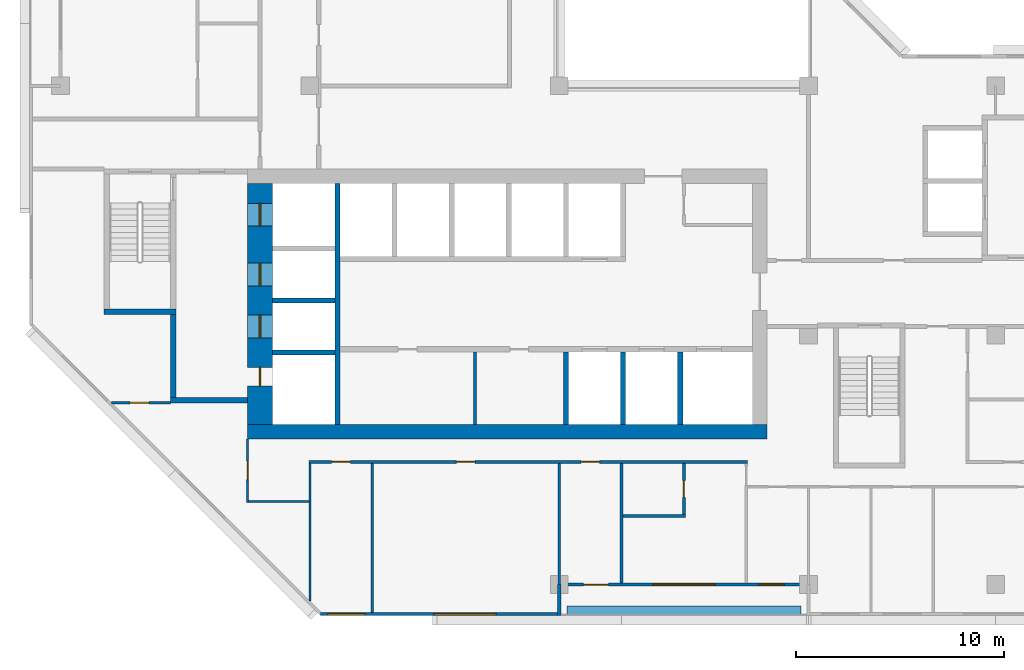
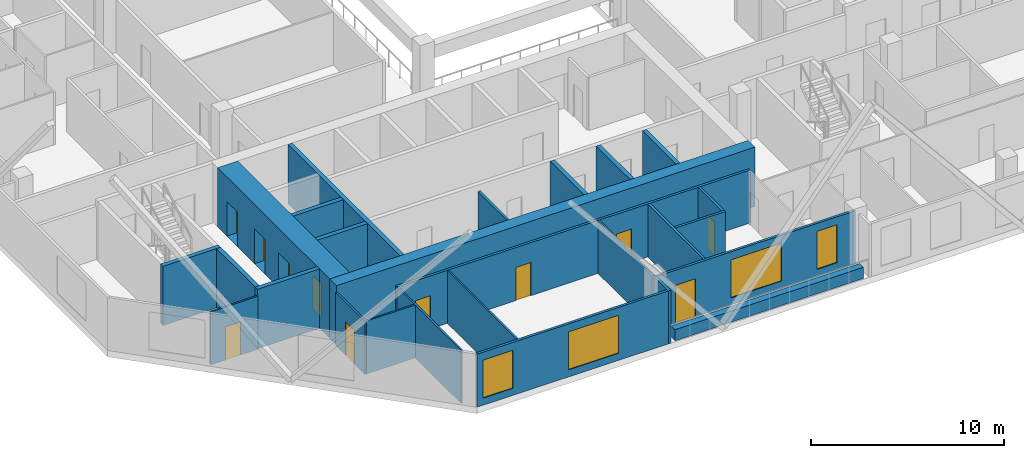
# One storey, part 4 of 14: 26 walls, 11 doors, 4 windows, 15 openings.
"""IFC4 building model written with IfcOpenShell, lengths in metres."""

from ifc_helpers import new_model, si_unit, direction, frame, frame_2d, origin, place, context, subcontext, project, spatial, rectangle, extrude, material, layer, layer_set, type_object, element, fill, save


model = new_model("IFC4")

# Units and contexts
model_context = context("Model", 3, precision=1e-05, world=origin(), true_north=direction((0.0, 1.0)))
body_context = subcontext(model_context, "Body", "Model", "MODEL_VIEW")
ifc_project = project(units=[si_unit("LENGTHUNIT", "METRE"), si_unit("AREAUNIT", "SQUARE_METRE"), si_unit("VOLUMEUNIT", "CUBIC_METRE"), si_unit("PLANEANGLEUNIT", "RADIAN"), si_unit("MASSUNIT", "GRAM", prefix="KILO")], contexts=[model_context])

# Site, building, storey
site_placement = place(None, origin())
site = spatial("IfcSite", under=ifc_project, at=site_placement, CompositionType="ELEMENT")
building_placement = place(site_placement, origin())
building = spatial("IfcBuilding", under=site, at=building_placement, Name="Chenar Terraces", CompositionType="ELEMENT")
storey_placement = place(building_placement, frame((0.0, 0.0, 234.14990234375)))
storey = spatial("IfcBuildingStorey", under=building, at=storey_placement, Name="L55", CompositionType="ELEMENT", Elevation=234.14990234375)

# Wall
ifc_material_1 = material(Name="Gypsum board on steel studs", Category="steel")
ifc_layer_1 = layer(ifc_material_1, 0.14990234375)
ifc_layer_set_1 = layer_set([ifc_layer_1], Name="Gypsum board on steel studs")
wall_type_1 = type_object("IfcWallType", Name="Core partition 150 gypsum board", PredefinedType="PARTITIONING", material=ifc_layer_set_1)
wall_1_placement = place(storey_placement, frame((19.949951171875, 7.699951171875, 0.0), z_axis=(0.0, 0.0, 1.0), x_axis=(0.0, 1.0, 0.0)))
element("IfcWall", 1, at=wall_1_placement, inside=storey, type_object=wall_type_1, Name="Core partition CP1 freed bay wall", PredefinedType="PARTITIONING", context=body_context, shape_type="SweptSolid", body=[
    extrude(rectangle(XDim=3.5, YDim=0.14990234375, at=frame_2d((1.75, 0.0))), origin(), (0.0, 0.0, 1.0), 3.35009765625),
])

# Wall, openings, doors
ifc_material_2 = material(Name="Concrete C60/75", Category="concrete")
ifc_layer_2 = layer(ifc_material_2, 1.199951171875)
ifc_layer_set_2 = layer_set([ifc_layer_2], Name="Concrete C60/75")
wall_type_2 = type_object("IfcWallType", Name="Core wall 1200 Concrete C60/75", PredefinedType="SHEAR", material=ifc_layer_set_2)
wall_2_placement = place(storey_placement, frame((9.60009765625, 7.699951171875, 0.0), z_axis=(0.0, 0.0, 1.0), x_axis=(0.0, 1.0, 0.0)))
wall_2 = element("IfcWall", 2, at=wall_2_placement, inside=storey, type_object=wall_type_2, Name="Core wall W L55", PredefinedType="SHEAR", context=body_context, shape_type="SweptSolid", body=[
    extrude(rectangle(XDim=11.60009765625, YDim=1.199951171875, at=frame_2d((5.800048828125, 0.0))), origin(), (0.0, 0.0, 1.0), 3.75),
])
opening_1_placement = place(wall_2_placement, frame((4.175048828125, 0.0, 0.0)))
opening_1 = element("IfcOpeningElement", 3, at=opening_1_placement, cuts=wall_2, Name="Opening DL55-LD5", PredefinedType="OPENING", context=body_context, shape_type="SweptSolid", body=[
    extrude(rectangle(XDim=1.10009765625, YDim=2.199951171875, at=frame_2d((0.550048828125, 1.10009765625))), frame((0.0, 0.60986328125, 0.0), z_axis=(0.0, -1.0, 0.0), x_axis=(1.0, 0.0, 0.0)), (0.0, 0.0, 1.0), 1.219970703125),
])
opening_2_placement = place(wall_2_placement, frame((6.675048828125, 0.0, 0.0)))
opening_2 = element("IfcOpeningElement", 4, at=opening_2_placement, cuts=wall_2, Name="Opening DL55-LD6", PredefinedType="OPENING", context=body_context, shape_type="SweptSolid", body=[
    extrude(rectangle(XDim=1.10009765625, YDim=2.199951171875, at=frame_2d((0.550048828125, 1.10009765625))), frame((0.0, 0.60986328125, 0.0), z_axis=(0.0, -1.0, 0.0), x_axis=(1.0, 0.0, 0.0)), (0.0, 0.0, 1.0), 1.219970703125),
])
opening_3_placement = place(wall_2_placement, frame((9.550048828125, 0.0, 0.0)))
opening_3 = element("IfcOpeningElement", 5, at=opening_3_placement, cuts=wall_2, Name="Opening DL55-LD7", PredefinedType="OPENING", context=body_context, shape_type="SweptSolid", body=[
    extrude(rectangle(XDim=1.10009765625, YDim=2.199951171875, at=frame_2d((0.550048828125, 1.10009765625))), frame((0.0, 0.60986328125, 0.0), z_axis=(0.0, -1.0, 0.0), x_axis=(1.0, 0.0, 0.0)), (0.0, 0.0, 1.0), 1.219970703125),
])
opening_4_placement = place(wall_2_placement, frame((1.85009765625, 0.0, 0.0)))
opening_4 = element("IfcOpeningElement", 6, at=opening_4_placement, cuts=wall_2, Name="Opening DL55-C4", PredefinedType="OPENING", context=body_context, shape_type="SweptSolid", body=[
    extrude(rectangle(XDim=0.89990234375, YDim=2.10009765625, at=frame_2d((0.449951171875, 1.050048828125))), frame((0.0, 0.60986328125, 0.0), z_axis=(0.0, -1.0, 0.0), x_axis=(1.0, 0.0, 0.0)), (0.0, 0.0, 1.0), 1.219970703125),
])
ifc_material_3 = material(Name="Stainless steel", Category="steel")
door_type_1 = type_object("IfcDoorType", Name="Lift landing door 1100 x 2200 sliding", OperationType="DOUBLE_DOOR_SLIDING", PredefinedType="DOOR", material=ifc_material_3)
door_1_placement = place(opening_1_placement, origin())
door_1 = element("IfcDoor", 7, at=door_1_placement, inside=storey, type_object=door_type_1, Name="Landing door S1", OperationType="DOUBLE_DOOR_SLIDING", OverallHeight=2.199951171875, OverallWidth=1.10009765625, PredefinedType="DOOR", context=body_context, shape_type="SweptSolid", body=[
    extrude(rectangle(XDim=1.10009765625, YDim=2.199951171875, at=frame_2d((0.550048828125, 1.10009765625))), frame((0.0, 0.02490234375, 0.0), z_axis=(0.0, -1.0, 0.0), x_axis=(1.0, 0.0, 0.0)), (0.0, 0.0, 1.0), 0.050048828125),
])
fill(opening_1, door_1)
door_2_placement = place(opening_2_placement, origin())
door_2 = element("IfcDoor", 8, at=door_2_placement, inside=storey, type_object=door_type_1, Name="Landing door F1", OperationType="DOUBLE_DOOR_SLIDING", OverallHeight=2.199951171875, OverallWidth=1.10009765625, PredefinedType="DOOR", context=body_context, shape_type="SweptSolid", body=[
    extrude(rectangle(XDim=1.10009765625, YDim=2.199951171875, at=frame_2d((0.550048828125, 1.10009765625))), frame((0.0, 0.02490234375, 0.0), z_axis=(0.0, -1.0, 0.0), x_axis=(1.0, 0.0, 0.0)), (0.0, 0.0, 1.0), 0.050048828125),
])
fill(opening_2, door_2)
door_3_placement = place(opening_3_placement, origin())
door_3 = element("IfcDoor", 9, at=door_3_placement, inside=storey, type_object=door_type_1, Name="Landing door F2", OperationType="DOUBLE_DOOR_SLIDING", OverallHeight=2.199951171875, OverallWidth=1.10009765625, PredefinedType="DOOR", context=body_context, shape_type="SweptSolid", body=[
    extrude(rectangle(XDim=1.10009765625, YDim=2.199951171875, at=frame_2d((0.550048828125, 1.10009765625))), frame((0.0, 0.02490234375, 0.0), z_axis=(0.0, -1.0, 0.0), x_axis=(1.0, 0.0, 0.0)), (0.0, 0.0, 1.0), 0.050048828125),
])
fill(opening_3, door_3)
ifc_material_4 = material(Name="Steel-framed fire-resisting door leaf", Category="steel")
door_type_2 = type_object("IfcDoorType", Name="Riser fire door FD60 900 x 2100", OperationType="SINGLE_SWING_LEFT", PredefinedType="DOOR", material=ifc_material_4)
door_4_placement = place(opening_4_placement, frame((0.89990234375, 0.0, 0.0), z_axis=(0.0, 0.0, 1.0), x_axis=(-1.0, 0.0, 0.0)))
door_4 = element("IfcDoor", 10, at=door_4_placement, inside=storey, type_object=door_type_2, Name="Riser door DL55-C4", OperationType="SINGLE_SWING_LEFT", OverallHeight=2.10009765625, OverallWidth=0.89990234375, PredefinedType="DOOR", context=body_context, shape_type="SweptSolid", body=[
    extrude(rectangle(XDim=0.89990234375, YDim=2.10009765625, at=frame_2d((0.449951171875, 1.050048828125))), frame((0.0, 0.02490234375, 0.0), z_axis=(0.0, -1.0, 0.0), x_axis=(1.0, 0.0, 0.0)), (0.0, 0.0, 1.0), 0.050048828125),
])
fill(opening_4, door_4)

# Walls
ifc_material_5 = material(Name="Concrete C60/75", Category="concrete")
ifc_layer_3 = layer(ifc_material_5, 0.25)
ifc_layer_set_3 = layer_set([ifc_layer_3], Name="Concrete C60/75")
wall_type_3 = type_object("IfcWallType", Name="Core wall 250 Concrete C60/75", PredefinedType="SHEAR", material=ifc_layer_set_3)
wall_3_placement = place(storey_placement, frame((13.324951171875, 7.699951171875, 0.0), z_axis=(0.0, 0.0, 1.0), x_axis=(0.0, 1.0, 0.0)))
element("IfcWall", 11, at=wall_3_placement, inside=storey, type_object=wall_type_3, Name="Core wall WI L55", PredefinedType="SHEAR", context=body_context, shape_type="SweptSolid", body=[
    extrude(rectangle(XDim=11.60009765625, YDim=0.25, at=frame_2d((5.800048828125, 0.0))), origin(), (0.0, 0.0, 1.0), 3.75),
])
for number, where, z_axis, x_axis, name in (
    (12, (10.199951171875, 11.175048828125, 0.0), (0.0, 0.0, 1.0), (1.0, 0.0, 0.0), "Core wall HW0 L55"),
    (13, (10.199951171875, 13.675048828125, 0.0), (0.0, 0.0, 1.0), (1.0, 0.0, 0.0), "Core wall HW1 L55"),
):
    element("IfcWall", number, at=place(storey_placement, frame(where, z_axis=z_axis, x_axis=x_axis)), inside=storey, type_object=wall_type_3, Name=name, PredefinedType="SHEAR", context=body_context, shape_type="SweptSolid", body=[
        extrude(rectangle(XDim=3.0, YDim=0.25, at=frame_2d((1.5, 0.0))), origin(), (0.0, 0.0, 1.0), 3.75),
    ])
for number, where, z_axis, x_axis, name in (
    (14, (24.324951171875, 7.699951171875, 0.0), (0.0, 0.0, 1.0), (0.0, 1.0, 0.0), "Core wall SS3 L55"),
    (15, (27.074951171875, 7.699951171875, 0.0), (0.0, 0.0, 1.0), (0.0, 1.0, 0.0), "Core wall SS4 L55"),
    (16, (29.824951171875, 7.699951171875, 0.0), (0.0, 0.0, 1.0), (0.0, 1.0, 0.0), "Core wall SS5 L55"),
):
    element("IfcWall", number, at=place(storey_placement, frame(where, z_axis=z_axis, x_axis=x_axis)), inside=storey, type_object=wall_type_3, Name=name, PredefinedType="SHEAR", context=body_context, shape_type="SweptSolid", body=[
        extrude(rectangle(XDim=3.5, YDim=0.25, at=frame_2d((1.75, 0.0))), origin(), (0.0, 0.0, 1.0), 3.75),
    ])
wall_4_placement = place(storey_placement, frame((2.10009765625, 13.125, 0.0), z_axis=(0.0, 0.0, 1.0), x_axis=(1.0, 0.0, 0.0)))
element("IfcWall", 17, at=wall_4_placement, inside=storey, type_object=wall_type_3, Name="Core wall ST1_S L55", PredefinedType="SHEAR", context=body_context, shape_type="SweptSolid", body=[
    extrude(rectangle(XDim=3.449951171875, YDim=0.25, at=frame_2d((1.72509765625, 0.0))), origin(), (0.0, 0.0, 1.0), 3.75),
])
wall_5_placement = place(storey_placement, frame((5.300048828125, 8.875, 0.0), z_axis=(0.0, 0.0, 1.0), x_axis=(1.0, 0.0, 0.0)))
element("IfcWall", 18, at=wall_5_placement, inside=storey, type_object=wall_type_3, Name="Core wall FFL_S L55", PredefinedType="SHEAR", context=body_context, shape_type="SweptSolid", body=[
    extrude(rectangle(XDim=3.699951171875, YDim=0.25, at=frame_2d((1.85009765625, 0.0))), origin(), (0.0, 0.0, 1.0), 3.75),
])
wall_6_placement = place(storey_placement, frame((5.425048828125, 9.0, 0.0), z_axis=(0.0, 0.0, 1.0), x_axis=(0.0, 1.0, 0.0)))
element("IfcWall", 19, at=wall_6_placement, inside=storey, type_object=wall_type_3, Name="Core wall FFL_W L55", PredefinedType="SHEAR", context=body_context, shape_type="SweptSolid", body=[
    extrude(rectangle(XDim=4.0, YDim=0.25, at=frame_2d((2.0, 0.0))), origin(), (0.0, 0.0, 1.0), 3.75),
])
ifc_material_6 = material(Name="Concrete C60/75", Category="concrete")
ifc_layer_4 = layer(ifc_material_6, 0.699951171875)
ifc_layer_set_4 = layer_set([ifc_layer_4], Name="Concrete C60/75")
wall_type_4 = type_object("IfcWallType", Name="Core wall 700 Concrete C60/75", PredefinedType="SHEAR", material=ifc_layer_set_4)
wall_7_placement = place(storey_placement, frame((9.0, 7.35009765625, 0.0), z_axis=(0.0, 0.0, 1.0), x_axis=(1.0, 0.0, 0.0)))
element("IfcWall", 20, at=wall_7_placement, inside=storey, type_object=wall_type_4, Name="Core wall S L55", PredefinedType="SHEAR", context=body_context, shape_type="SweptSolid", body=[
    extrude(rectangle(XDim=25.0, YDim=0.699951171875, at=frame_2d((12.5, 0.0))), origin(), (0.0, 0.0, 1.0), 3.75),
])

# Wall, openings, windows
ifc_material_7 = material(Name="Aluminium framed glazing", Category="aluminium")
ifc_layer_5 = layer(ifc_material_7, 0.14990234375)
ifc_layer_set_5 = layer_set([ifc_layer_5], Name="Aluminium framed glazing")
wall_type_5 = type_object("IfcWallType", Name="Glazed flush facade wall 150", PredefinedType="SOLIDWALL", material=ifc_layer_set_5)
wall_8_placement = place(storey_placement, frame((12.5, -1.425048828125, 0.0), z_axis=(0.0, 0.0, 1.0), x_axis=(1.0, 0.0, 0.0)))
wall_8 = element("IfcWall", 21, at=wall_8_placement, inside=storey, type_object=wall_type_5, Name="Glazed flush facade wall", PredefinedType="SOLIDWALL", context=body_context, shape_type="SweptSolid", body=[
    extrude(rectangle(XDim=11.425048828125, YDim=0.14990234375, at=frame_2d((5.71240234375, 0.0))), origin(), (0.0, 0.0, 1.0), 3.35009765625),
])
opening_5_placement = place(wall_8_placement, frame((0.35009765625, 0.0, 0.449951171875)))
opening_5 = element("IfcOpeningElement", 22, at=opening_5_placement, cuts=wall_8, Name="Opening W180x240", PredefinedType="OPENING", context=body_context, shape_type="SweptSolid", body=[
    extrude(rectangle(XDim=1.800048828125, YDim=2.39990234375, at=frame_2d((0.89990234375, 1.199951171875))), frame((0.0, 0.0849609375, 0.0), z_axis=(0.0, -1.0, 0.0), x_axis=(1.0, 0.0, 0.0)), (0.0, 0.0, 1.0), 0.169921875),
])
opening_6_placement = place(wall_8_placement, frame((5.46240234375, 0.0, 0.449951171875)))
opening_6 = element("IfcOpeningElement", 23, at=opening_6_placement, cuts=wall_8, Name="Opening W300x240", PredefinedType="OPENING", context=body_context, shape_type="SweptSolid", body=[
    extrude(rectangle(XDim=3.0, YDim=2.39990234375, at=frame_2d((1.5, 1.199951171875))), frame((0.0, 0.0849609375, 0.0), z_axis=(0.0, -1.0, 0.0), x_axis=(1.0, 0.0, 0.0)), (0.0, 0.0, 1.0), 0.169921875),
])
ifc_material_8 = material(Name="Low emissivity double glazing, aluminium frame", Category="aluminium")
window_type_1 = type_object("IfcWindowType", Name="Fixed light 1800 x 2400", PartitioningType="SINGLE_PANEL", PredefinedType="WINDOW", material=ifc_material_8)
window_1_placement = place(opening_5_placement, origin())
window_1 = element("IfcWindow", 24, at=window_1_placement, inside=storey, type_object=window_type_1, Name="Window", OverallHeight=2.39990234375, OverallWidth=1.800048828125, PartitioningType="SINGLE_PANEL", PredefinedType="WINDOW", context=body_context, shape_type="SweptSolid", body=[
    extrude(rectangle(XDim=1.800048828125, YDim=2.39990234375, at=frame_2d((0.89990234375, 1.199951171875))), frame((0.0, 0.030029296875, 0.0), z_axis=(0.0, -1.0, 0.0), x_axis=(1.0, 0.0, 0.0)), (0.0, 0.0, 1.0), 0.06005859375),
])
fill(opening_5, window_1)
ifc_material_9 = material(Name="Low emissivity double glazing, aluminium frame", Category="aluminium")
window_type_2 = type_object("IfcWindowType", Name="Fixed light 3000 x 2400", PartitioningType="SINGLE_PANEL", PredefinedType="WINDOW", material=ifc_material_9)
window_2_placement = place(opening_6_placement, origin())
window_2 = element("IfcWindow", 25, at=window_2_placement, inside=storey, type_object=window_type_2, Name="Window", OverallHeight=2.39990234375, OverallWidth=3.0, PartitioningType="SINGLE_PANEL", PredefinedType="WINDOW", context=body_context, shape_type="SweptSolid", body=[
    extrude(rectangle(XDim=3.0, YDim=2.39990234375, at=frame_2d((1.5, 1.199951171875))), frame((0.0, 0.030029296875, 0.0), z_axis=(0.0, -1.0, 0.0), x_axis=(1.0, 0.0, 0.0)), (0.0, 0.0, 1.0), 0.06005859375),
])
fill(opening_6, window_2)

# Wall, openings, windows, door
ifc_material_10 = material(Name="Aluminium framed glazing", Category="aluminium")
ifc_layer_6 = layer(ifc_material_10, 0.14990234375)
ifc_layer_set_6 = layer_set([ifc_layer_6], Name="Aluminium framed glazing")
wall_type_6 = type_object("IfcWallType", Name="Glazed loggia back wall 150", PredefinedType="SOLIDWALL", material=ifc_layer_set_6)
wall_9_placement = place(storey_placement, frame((24.074951171875, 0.0, 0.0), z_axis=(0.0, 0.0, 1.0), x_axis=(1.0, 0.0, 0.0)))
wall_9 = element("IfcWall", 26, at=wall_9_placement, inside=storey, type_object=wall_type_6, Name="Glazed loggia back wall", PredefinedType="SOLIDWALL", context=body_context, shape_type="SweptSolid", body=[
    extrude(rectangle(XDim=11.85009765625, YDim=0.14990234375, at=frame_2d((5.925048828125, 0.0))), origin(), (0.0, 0.0, 1.0), 3.35009765625),
])
opening_7_placement = place(wall_9_placement, frame((1.08740234375, 0.0, 0.0)))
opening_7 = element("IfcOpeningElement", 27, at=opening_7_placement, cuts=wall_9, Name="Opening DL55-G6", PredefinedType="OPENING", context=body_context, shape_type="SweptSolid", body=[
    extrude(rectangle(XDim=1.199951171875, YDim=2.39990234375, at=frame_2d((0.60009765625, 1.199951171875))), frame((0.0, 0.0849609375, 0.0), z_axis=(0.0, -1.0, 0.0), x_axis=(1.0, 0.0, 0.0)), (0.0, 0.0, 1.0), 0.169921875),
])
opening_8_placement = place(wall_9_placement, frame((4.425048828125, 0.0, 0.449951171875)))
opening_8 = element("IfcOpeningElement", 28, at=opening_8_placement, cuts=wall_9, Name="Opening W300x240", PredefinedType="OPENING", context=body_context, shape_type="SweptSolid", body=[
    extrude(rectangle(XDim=3.0, YDim=2.39990234375, at=frame_2d((1.5, 1.199951171875))), frame((0.0, 0.0849609375, 0.0), z_axis=(0.0, -1.0, 0.0), x_axis=(1.0, 0.0, 0.0)), (0.0, 0.0, 1.0), 0.169921875),
])
opening_9_placement = place(wall_9_placement, frame((9.5625, 0.0, 0.449951171875)))
opening_9 = element("IfcOpeningElement", 29, at=opening_9_placement, cuts=wall_9, Name="Opening W120x240", PredefinedType="OPENING", context=body_context, shape_type="SweptSolid", body=[
    extrude(rectangle(XDim=1.199951171875, YDim=2.39990234375, at=frame_2d((0.60009765625, 1.199951171875))), frame((0.0, 0.0849609375, 0.0), z_axis=(0.0, -1.0, 0.0), x_axis=(1.0, 0.0, 0.0)), (0.0, 0.0, 1.0), 0.169921875),
])
ifc_material_11 = material(Name="Low emissivity double glazing, aluminium frame", Category="aluminium")
window_type_3 = type_object("IfcWindowType", Name="Fixed light 1200 x 2400", PartitioningType="SINGLE_PANEL", PredefinedType="WINDOW", material=ifc_material_11)
window_3_placement = place(opening_9_placement, origin())
window_3 = element("IfcWindow", 30, at=window_3_placement, inside=storey, type_object=window_type_3, Name="Window", OverallHeight=2.39990234375, OverallWidth=1.199951171875, PartitioningType="SINGLE_PANEL", PredefinedType="WINDOW", context=body_context, shape_type="SweptSolid", body=[
    extrude(rectangle(XDim=1.199951171875, YDim=2.39990234375, at=frame_2d((0.60009765625, 1.199951171875))), frame((0.0, 0.030029296875, 0.0), z_axis=(0.0, -1.0, 0.0), x_axis=(1.0, 0.0, 0.0)), (0.0, 0.0, 1.0), 0.06005859375),
])
fill(opening_9, window_3)
window_4_placement = place(opening_8_placement, origin())
window_4 = element("IfcWindow", 31, at=window_4_placement, inside=storey, type_object=window_type_2, Name="Window", OverallHeight=2.39990234375, OverallWidth=3.0, PartitioningType="SINGLE_PANEL", PredefinedType="WINDOW", context=body_context, shape_type="SweptSolid", body=[
    extrude(rectangle(XDim=3.0, YDim=2.39990234375, at=frame_2d((1.5, 1.199951171875))), frame((0.0, 0.030029296875, 0.0), z_axis=(0.0, -1.0, 0.0), x_axis=(1.0, 0.0, 0.0)), (0.0, 0.0, 1.0), 0.06005859375),
])
fill(opening_8, window_4)
ifc_material_12 = material(Name="Low emissivity double glazing, aluminium frame", Category="aluminium")
door_type_3 = type_object("IfcDoorType", Name="Loggia glazed double door 1200 x 2400", OperationType="DOUBLE_DOOR_SINGLE_SWING", PredefinedType="DOOR", material=ifc_material_12)
door_5_placement = place(opening_7_placement, frame((1.199951171875, 0.0, 0.0), z_axis=(0.0, 0.0, 1.0), x_axis=(-1.0, 0.0, 0.0)))
door_5 = element("IfcDoor", 32, at=door_5_placement, inside=storey, type_object=door_type_3, Name="Loggia glazed door", OperationType="DOUBLE_DOOR_SINGLE_SWING", OverallHeight=2.39990234375, OverallWidth=1.199951171875, PredefinedType="DOOR", context=body_context, shape_type="SweptSolid", body=[
    extrude(rectangle(XDim=1.199951171875, YDim=2.39990234375, at=frame_2d((0.60009765625, 1.199951171875))), frame((0.0, 0.02490234375, 0.0), z_axis=(0.0, -1.0, 0.0), x_axis=(1.0, 0.0, 0.0)), (0.0, 0.0, 1.0), 0.050048828125),
])
fill(opening_7, door_5)

# Wall, opening, door
ifc_material_13 = material(Name="Gypsum board on steel studs", Category="steel")
ifc_layer_7 = layer(ifc_material_13, 0.10009765625)
ifc_layer_set_7 = layer_set([ifc_layer_7], Name="Gypsum board on steel studs")
wall_type_7 = type_object("IfcWallType", Name="Gypsum partition 100", PredefinedType="PARTITIONING", material=ifc_layer_set_7)
wall_10_placement = place(storey_placement, frame((2.4609375, 8.75, 0.0), z_axis=(0.0, 0.0, 1.0), x_axis=(1.0, 0.0, 0.0)))
wall_10 = element("IfcWall", 33, at=wall_10_placement, inside=storey, type_object=wall_type_7, Name="Partition L55-012", PredefinedType="PARTITIONING", context=body_context, shape_type="SweptSolid", body=[
    extrude(rectangle(XDim=2.839111328125, YDim=0.10009765625, at=frame_2d((1.41943359375, 0.0))), origin(), (0.0, 0.0, 1.0), 3.35009765625),
])
opening_10_placement = place(wall_10_placement, frame((0.888916015625, 0.0, 0.0)))
opening_10 = element("IfcOpeningElement", 34, at=opening_10_placement, cuts=wall_10, Name="Opening DL55-50", PredefinedType="OPENING", context=body_context, shape_type="SweptSolid", body=[
    extrude(rectangle(XDim=0.89990234375, YDim=2.10009765625, at=frame_2d((0.449951171875, 1.050048828125))), frame((0.0, 0.06005859375, 0.0), z_axis=(0.0, -1.0, 0.0), x_axis=(1.0, 0.0, 0.0)), (0.0, 0.0, 1.0), 0.1201171875),
])
ifc_material_14 = material(Name="Veneered timber door leaf", Category="wood")
door_type_4 = type_object("IfcDoorType", Name="Door 900 x 2100", OperationType="SINGLE_SWING_LEFT", PredefinedType="DOOR", material=ifc_material_14)
door_6_placement = place(opening_10_placement, frame((0.89990234375, 0.0, 0.0), z_axis=(0.0, 0.0, 1.0), x_axis=(-1.0, 0.0, 0.0)))
door_6 = element("IfcDoor", 35, at=door_6_placement, inside=storey, type_object=door_type_4, Name="Door DL55-50", OperationType="SINGLE_SWING_RIGHT", OverallHeight=2.10009765625, OverallWidth=0.89990234375, PredefinedType="DOOR", context=body_context, shape_type="SweptSolid", body=[
    extrude(rectangle(XDim=0.89990234375, YDim=2.10009765625, at=frame_2d((0.449951171875, 1.050048828125))), frame((0.0, 0.02490234375, 0.0), z_axis=(0.0, -1.0, 0.0), x_axis=(1.0, 0.0, 0.0)), (0.0, 0.0, 1.0), 0.050048828125),
])
fill(opening_10, door_6)

wall_11_placement = place(storey_placement, frame((9.0, 3.949951171875, 0.0), z_axis=(0.0, 0.0, 1.0), x_axis=(0.0, 1.0, 0.0)))
wall_11 = element("IfcWall", 36, at=wall_11_placement, inside=storey, type_object=wall_type_7, Name="Partition L55-031", PredefinedType="PARTITIONING", context=body_context, shape_type="SweptSolid", body=[
    extrude(rectangle(XDim=3.050048828125, YDim=0.10009765625, at=frame_2d((1.52490234375, 0.0))), origin(), (0.0, 0.0, 1.0), 3.35009765625),
])
opening_11_placement = place(wall_11_placement, frame((1.10009765625, 0.0, 0.0)))
opening_11 = element("IfcOpeningElement", 37, at=opening_11_placement, cuts=wall_11, Name="Opening DL55-49", PredefinedType="OPENING", context=body_context, shape_type="SweptSolid", body=[
    extrude(rectangle(XDim=0.89990234375, YDim=2.10009765625, at=frame_2d((0.449951171875, 1.050048828125))), frame((0.0, 0.06005859375, 0.0), z_axis=(0.0, -1.0, 0.0), x_axis=(1.0, 0.0, 0.0)), (0.0, 0.0, 1.0), 0.1201171875),
])
door_7_placement = place(opening_11_placement, origin())
door_7 = element("IfcDoor", 38, at=door_7_placement, inside=storey, type_object=door_type_4, Name="Door DL55-49", OperationType="SINGLE_SWING_LEFT", OverallHeight=2.10009765625, OverallWidth=0.89990234375, PredefinedType="DOOR", context=body_context, shape_type="SweptSolid", body=[
    extrude(rectangle(XDim=0.89990234375, YDim=2.10009765625, at=frame_2d((0.449951171875, 1.050048828125))), frame((0.0, 0.02490234375, 0.0), z_axis=(0.0, -1.0, 0.0), x_axis=(1.0, 0.0, 0.0)), (0.0, 0.0, 1.0), 0.050048828125),
])
fill(opening_11, door_7)

# Walls
wall_12_placement = place(storey_placement, frame((9.050048828125, 4.0, 0.0), z_axis=(0.0, 0.0, 1.0), x_axis=(1.0, 0.0, 0.0)))
element("IfcWall", 39, at=wall_12_placement, inside=storey, type_object=wall_type_7, Name="Partition L55-032", PredefinedType="PARTITIONING", context=body_context, shape_type="SweptSolid", body=[
    extrude(rectangle(XDim=2.89990234375, YDim=0.10009765625, at=frame_2d((1.449951171875, 0.0))), origin(), (0.0, 0.0, 1.0), 3.35009765625),
])
wall_13_placement = place(storey_placement, frame((12.0, -0.787841796875, 0.0), z_axis=(0.0, 0.0, 1.0), x_axis=(0.0, 1.0, 0.0)))
element("IfcWall", 40, at=wall_13_placement, inside=storey, type_object=wall_type_7, Name="Partition L55-035", PredefinedType="PARTITIONING", context=body_context, shape_type="SweptSolid", body=[
    extrude(rectangle(XDim=6.61279296875, YDim=0.10009765625, at=frame_2d((3.306396484375, 0.0))), origin(), (0.0, 0.0, 1.0), 3.35009765625),
])
wall_14_placement = place(storey_placement, frame((15.0, -1.35009765625, 0.0), z_axis=(0.0, 0.0, 1.0), x_axis=(0.0, 1.0, 0.0)))
element("IfcWall", 41, at=wall_14_placement, inside=storey, type_object=wall_type_7, Name="Partition L55-046", PredefinedType="PARTITIONING", context=body_context, shape_type="SweptSolid", body=[
    extrude(rectangle(XDim=7.175048828125, YDim=0.10009765625, at=frame_2d((3.58740234375, 0.0))), origin(), (0.0, 0.0, 1.0), 3.35009765625),
])
wall_15_placement = place(storey_placement, frame((24.0, 0.0, 0.0), z_axis=(0.0, 0.0, 1.0), x_axis=(0.0, 1.0, 0.0)))
element("IfcWall", 42, at=wall_15_placement, inside=storey, type_object=wall_type_7, Name="Partition L55-059", PredefinedType="PARTITIONING", context=body_context, shape_type="SweptSolid", body=[
    extrude(rectangle(XDim=5.824951171875, YDim=0.10009765625, at=frame_2d((2.91259765625, 0.0))), origin(), (0.0, 0.0, 1.0), 3.35009765625),
])
ifc_material_15 = material(Name="Terracotta cladding on insulated backing", Category="masonry")
ifc_layer_8 = layer(ifc_material_15, 0.14990234375)
ifc_layer_set_8 = layer_set([ifc_layer_8], Name="Terracotta cladding on insulated backing")
wall_type_8 = type_object("IfcWallType", Name="Loggia return wall 150", PredefinedType="SOLIDWALL", material=ifc_layer_set_8)
wall_16_placement = place(storey_placement, frame((24.0, -1.5, 0.0), z_axis=(0.0, 0.0, 1.0), x_axis=(0.0, 1.0, 0.0)))
element("IfcWall", 43, at=wall_16_placement, inside=storey, type_object=wall_type_8, Name="Loggia return wall", PredefinedType="SOLIDWALL", context=body_context, shape_type="SweptSolid", body=[
    extrude(rectangle(XDim=1.5, YDim=0.14990234375, at=frame_2d((0.75, 0.0))), origin(), (0.0, 0.0, 1.0), 3.35009765625),
])
ifc_material_16 = material(Name="GRP planter trough")
ifc_layer_9 = layer(ifc_material_16, 0.39990234375)
ifc_layer_set_9 = layer_set([ifc_layer_9], Name="GRP planter trough")
wall_type_9 = type_object("IfcWallType", Name="Vertical greenery planter 400", PredefinedType="SOLIDWALL", material=ifc_layer_set_9)
wall_17_placement = place(storey_placement, frame((24.375, -1.22900390625, 0.0), z_axis=(0.0, 0.0, 1.0), x_axis=(1.0, 0.0, 0.0)))
element("IfcWall", 44, at=wall_17_placement, inside=storey, type_object=wall_type_9, Name="Vertical greenery planter", PredefinedType="SOLIDWALL", context=body_context, shape_type="SweptSolid", body=[
    extrude(rectangle(XDim=11.25, YDim=0.39990234375, at=frame_2d((5.625, 0.0))), origin(), (0.0, 0.0, 1.0), 0.7001953125),
])

# Wall, openings, doors
ifc_material_17 = material(Name="Moisture-resistant gypsum board on steel studs", Category="steel")
ifc_layer_10 = layer(ifc_material_17, 0.14990234375)
ifc_layer_set_10 = layer_set([ifc_layer_10], Name="Moisture-resistant gypsum board on steel studs")
wall_type_10 = type_object("IfcWallType", Name="Wet-room partition 150", PredefinedType="PARTITIONING", material=ifc_layer_set_10)
wall_18_placement = place(storey_placement, frame((11.949951171875, 5.89990234375, 0.0), z_axis=(0.0, 0.0, 1.0), x_axis=(1.0, 0.0, 0.0)))
wall_18 = element("IfcWall", 45, at=wall_18_placement, inside=storey, type_object=wall_type_10, Name="Partition L55-034", PredefinedType="PARTITIONING", context=body_context, shape_type="SweptSolid", body=[
    extrude(rectangle(XDim=21.10009765625, YDim=0.14990234375, at=frame_2d((10.550048828125, 0.0))), origin(), (0.0, 0.0, 1.0), 3.35009765625),
])
opening_12_placement = place(wall_18_placement, frame((1.10009765625, 0.0, 0.0)))
opening_12 = element("IfcOpeningElement", 46, at=opening_12_placement, cuts=wall_18, Name="Opening DL55-43", PredefinedType="OPENING", context=body_context, shape_type="SweptSolid", body=[
    extrude(rectangle(XDim=0.89990234375, YDim=2.10009765625, at=frame_2d((0.449951171875, 1.050048828125))), frame((0.0, 0.0849609375, 0.0), z_axis=(0.0, -1.0, 0.0), x_axis=(1.0, 0.0, 0.0)), (0.0, 0.0, 1.0), 0.169921875),
])
opening_13_placement = place(wall_18_placement, frame((13.10009765625, 0.0, 0.0)))
opening_13 = element("IfcOpeningElement", 47, at=opening_13_placement, cuts=wall_18, Name="Opening DL55-44", PredefinedType="OPENING", context=body_context, shape_type="SweptSolid", body=[
    extrude(rectangle(XDim=0.89990234375, YDim=2.10009765625, at=frame_2d((0.449951171875, 1.050048828125))), frame((0.0, 0.0849609375, 0.0), z_axis=(0.0, -1.0, 0.0), x_axis=(1.0, 0.0, 0.0)), (0.0, 0.0, 1.0), 0.169921875),
])
opening_14_placement = place(wall_18_placement, frame((7.10009765625, 0.0, 0.0)))
opening_14 = element("IfcOpeningElement", 48, at=opening_14_placement, cuts=wall_18, Name="Opening DL55-55", PredefinedType="OPENING", context=body_context, shape_type="SweptSolid", body=[
    extrude(rectangle(XDim=0.89990234375, YDim=2.10009765625, at=frame_2d((0.449951171875, 1.050048828125))), frame((0.0, 0.0849609375, 0.0), z_axis=(0.0, -1.0, 0.0), x_axis=(1.0, 0.0, 0.0)), (0.0, 0.0, 1.0), 0.169921875),
])
door_8_placement = place(opening_12_placement, frame((0.89990234375, 0.0, 0.0), z_axis=(0.0, 0.0, 1.0), x_axis=(-1.0, 0.0, 0.0)))
door_8 = element("IfcDoor", 49, at=door_8_placement, inside=storey, type_object=door_type_4, Name="Door DL55-43", OperationType="SINGLE_SWING_RIGHT", OverallHeight=2.10009765625, OverallWidth=0.89990234375, PredefinedType="DOOR", context=body_context, shape_type="SweptSolid", body=[
    extrude(rectangle(XDim=0.89990234375, YDim=2.10009765625, at=frame_2d((0.449951171875, 1.050048828125))), frame((0.0, 0.02490234375, 0.0), z_axis=(0.0, -1.0, 0.0), x_axis=(1.0, 0.0, 0.0)), (0.0, 0.0, 1.0), 0.050048828125),
])
fill(opening_12, door_8)
door_9_placement = place(opening_13_placement, frame((0.89990234375, 0.0, 0.0), z_axis=(0.0, 0.0, 1.0), x_axis=(-1.0, 0.0, 0.0)))
door_9 = element("IfcDoor", 50, at=door_9_placement, inside=storey, type_object=door_type_4, Name="Door DL55-44", OperationType="SINGLE_SWING_RIGHT", OverallHeight=2.10009765625, OverallWidth=0.89990234375, PredefinedType="DOOR", context=body_context, shape_type="SweptSolid", body=[
    extrude(rectangle(XDim=0.89990234375, YDim=2.10009765625, at=frame_2d((0.449951171875, 1.050048828125))), frame((0.0, 0.02490234375, 0.0), z_axis=(0.0, -1.0, 0.0), x_axis=(1.0, 0.0, 0.0)), (0.0, 0.0, 1.0), 0.050048828125),
])
fill(opening_13, door_9)
door_10_placement = place(opening_14_placement, frame((0.89990234375, 0.0, 0.0), z_axis=(0.0, 0.0, 1.0), x_axis=(-1.0, 0.0, 0.0)))
door_10 = element("IfcDoor", 51, at=door_10_placement, inside=storey, type_object=door_type_4, Name="Door DL55-55", OperationType="SINGLE_SWING_RIGHT", OverallHeight=2.10009765625, OverallWidth=0.89990234375, PredefinedType="DOOR", context=body_context, shape_type="SweptSolid", body=[
    extrude(rectangle(XDim=0.89990234375, YDim=2.10009765625, at=frame_2d((0.449951171875, 1.050048828125))), frame((0.0, 0.02490234375, 0.0), z_axis=(0.0, -1.0, 0.0), x_axis=(1.0, 0.0, 0.0)), (0.0, 0.0, 1.0), 0.050048828125),
])
fill(opening_14, door_10)

# Walls
wall_19_placement = place(storey_placement, frame((27.0, 0.073974609375, 0.0), z_axis=(0.0, 0.0, 1.0), x_axis=(0.0, 1.0, 0.0)))
element("IfcWall", 52, at=wall_19_placement, inside=storey, type_object=wall_type_10, Name="Partition L55-060", PredefinedType="PARTITIONING", context=body_context, shape_type="SweptSolid", body=[
    extrude(rectangle(XDim=5.7509765625, YDim=0.14990234375, at=frame_2d((2.87548828125, 0.0))), origin(), (0.0, 0.0, 1.0), 3.35009765625),
])
wall_20_placement = place(storey_placement, frame((27.074951171875, 3.300048828125, 0.0), z_axis=(0.0, 0.0, 1.0), x_axis=(1.0, 0.0, 0.0)))
element("IfcWall", 53, at=wall_20_placement, inside=storey, type_object=wall_type_10, Name="Partition L55-061", PredefinedType="PARTITIONING", context=body_context, shape_type="SweptSolid", body=[
    extrude(rectangle(XDim=3.0, YDim=0.14990234375, at=frame_2d((1.5, 0.0))), origin(), (0.0, 0.0, 1.0), 3.35009765625),
])

# Wall, opening, door
wall_21_placement = place(storey_placement, frame((30.0, 3.375, 0.0), z_axis=(0.0, 0.0, 1.0), x_axis=(0.0, 1.0, 0.0)))
wall_21 = element("IfcWall", 54, at=wall_21_placement, inside=storey, type_object=wall_type_10, Name="Partition L55-062", PredefinedType="PARTITIONING", context=body_context, shape_type="SweptSolid", body=[
    extrude(rectangle(XDim=2.449951171875, YDim=0.14990234375, at=frame_2d((1.22509765625, 0.0))), origin(), (0.0, 0.0, 1.0), 3.35009765625),
])
opening_15_placement = place(wall_21_placement, frame((0.824951171875, 0.0, 0.0)))
opening_15 = element("IfcOpeningElement", 55, at=opening_15_placement, cuts=wall_21, Name="Opening DL55-52", PredefinedType="OPENING", context=body_context, shape_type="SweptSolid", body=[
    extrude(rectangle(XDim=0.800048828125, YDim=2.10009765625, at=frame_2d((0.39990234375, 1.050048828125))), frame((0.0, 0.0849609375, 0.0), z_axis=(0.0, -1.0, 0.0), x_axis=(1.0, 0.0, 0.0)), (0.0, 0.0, 1.0), 0.169921875),
])
ifc_material_18 = material(Name="Veneered timber door leaf", Category="wood")
door_type_5 = type_object("IfcDoorType", Name="Door 800 x 2100", OperationType="SINGLE_SWING_LEFT", PredefinedType="DOOR", material=ifc_material_18)
door_11_placement = place(opening_15_placement, origin())
door_11 = element("IfcDoor", 56, at=door_11_placement, inside=storey, type_object=door_type_5, Name="Door DL55-52", OperationType="SINGLE_SWING_RIGHT", OverallHeight=2.10009765625, OverallWidth=0.800048828125, PredefinedType="DOOR", context=body_context, shape_type="SweptSolid", body=[
    extrude(rectangle(XDim=0.800048828125, YDim=2.10009765625, at=frame_2d((0.39990234375, 1.050048828125))), frame((0.0, 0.02490234375, 0.0), z_axis=(0.0, -1.0, 0.0), x_axis=(1.0, 0.0, 0.0)), (0.0, 0.0, 1.0), 0.050048828125),
])
fill(opening_15, door_11)

save(model, "model.ifc")
